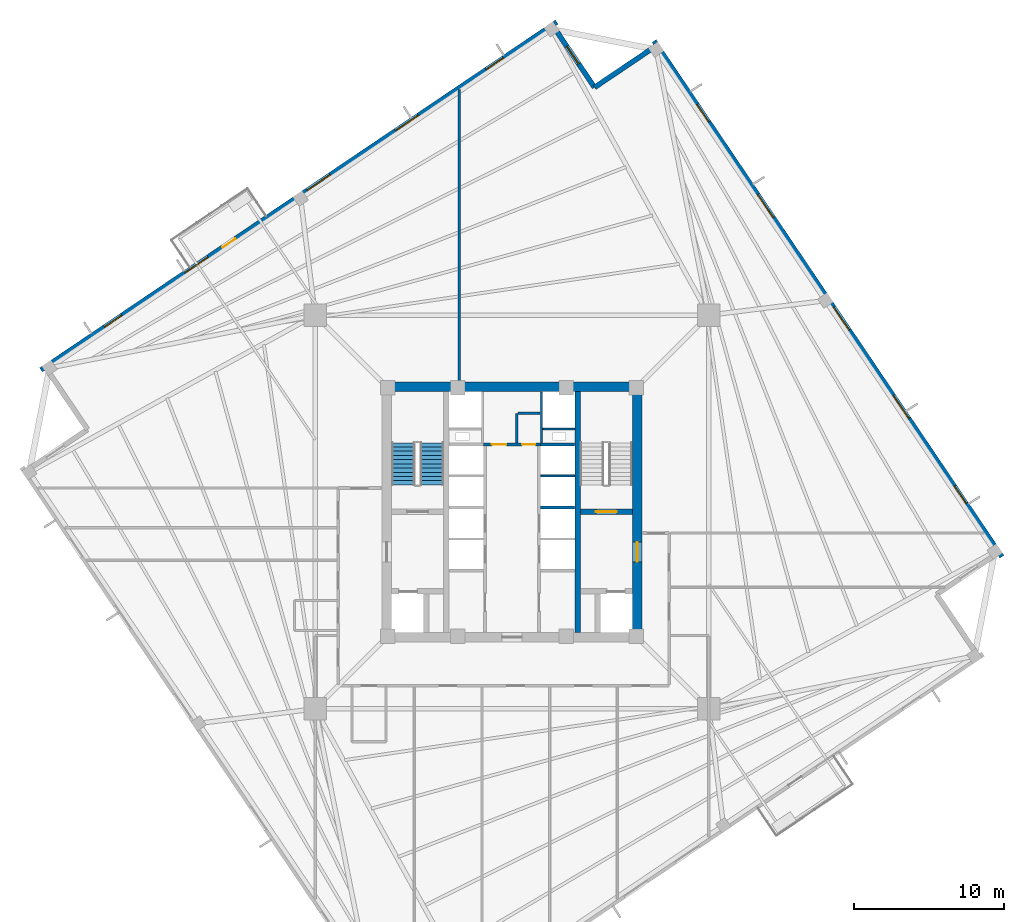
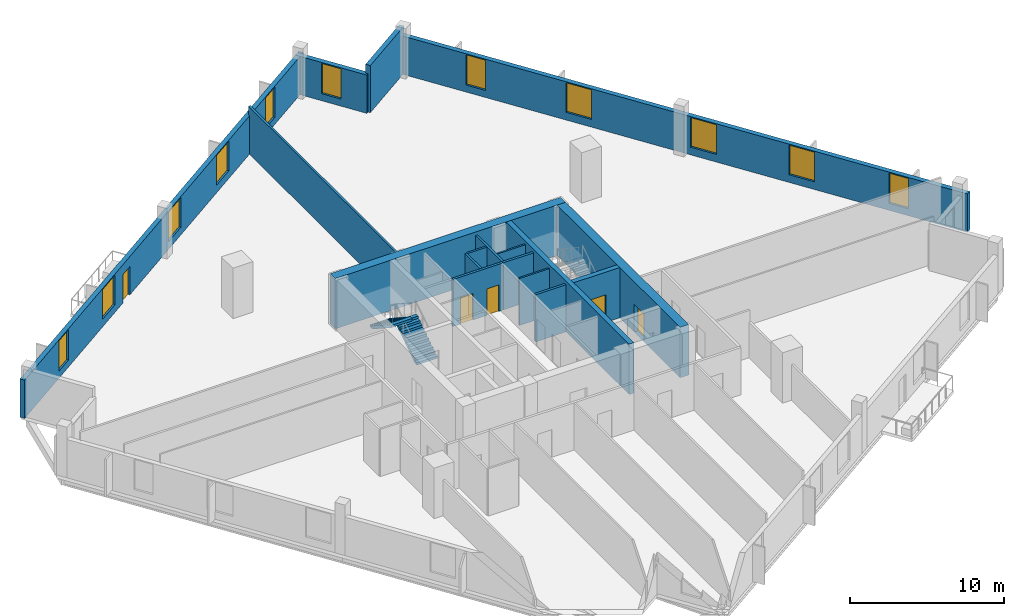
# One storey, part 5 of 9: 17 walls, 11 windows, 5 doors, 2 stair flights, 16 openings, 1 element without a shape of its own.
"""IFC4 building model written with IfcOpenShell, lengths in metres."""

from ifc_helpers import new_model, si_unit, direction, frame, frame_2d, origin, place, context, subcontext, project, spatial, polyline, rectangle, outline, extrude, source, transform, mapped, material, layer, layer_set, type_object, element, fill, aggregate, save


model = new_model("IFC4")

# Units and contexts
model_context = context("Model", 3, precision=1e-05, world=origin(), true_north=direction((0.0, 1.0)))
body_context = subcontext(model_context, "Body", "Model", "MODEL_VIEW")
ifc_project = project(units=[si_unit("LENGTHUNIT", "METRE"), si_unit("AREAUNIT", "SQUARE_METRE"), si_unit("VOLUMEUNIT", "CUBIC_METRE"), si_unit("PLANEANGLEUNIT", "RADIAN"), si_unit("MASSUNIT", "GRAM", prefix="KILO"), si_unit("THERMODYNAMICTEMPERATUREUNIT", "KELVIN")], contexts=[model_context])

# Site, building, storey
site_placement = place(None, origin())
site = spatial("IfcSite", under=ifc_project, at=site_placement, CompositionType="ELEMENT")
building_placement = place(site_placement, origin())
building = spatial("IfcBuilding", under=site, at=building_placement, Name="Kosmvard Interchange Tower", CompositionType="ELEMENT")
storey_placement = place(building_placement, frame((0.0, 0.0, 160.39990234375)))
storey = spatial("IfcBuildingStorey", under=building, at=storey_placement, Name="L38", CompositionType="ELEMENT", Elevation=160.39990234375)

# Walls
ifc_material_1 = material(Name="Acoustic gypsum partition system")
ifc_layer_1 = layer(ifc_material_1, 0.14990234375, Name="Acoustic gypsum partition system")
ifc_layer_set_1 = layer_set([ifc_layer_1], Name="Acoustic gypsum partition system")
wall_type_1 = type_object("IfcWallType", Name="Acoustic Suite & Meeting Partition 150", PredefinedType="PARTITIONING", material=ifc_layer_set_1)
wall_1_placement = place(storey_placement, frame((-3.5, 8.655029296875, 0.0), z_axis=(0.0, 0.0, 1.0), x_axis=(0.0, 1.0, 0.0)))
element("IfcWall", 1, at=wall_1_placement, inside=storey, type_object=wall_type_1, Name="L38 Room Partition 01.1", PredefinedType="PARTITIONING", context=body_context, shape_type="SweptSolid", body=[
    extrude(rectangle(XDim=19.4111328125, YDim=0.14990234375, at=frame_2d((9.70556640625, 0.0))), origin(), (0.0, 0.0, 1.0), 3.739990234375),
])
ifc_material_2 = material(Name="Fire-rated gypsum partition system")
ifc_layer_2 = layer(ifc_material_2, 0.159912109375, Name="Fire-rated gypsum partition system")
ifc_layer_set_2 = layer_set([ifc_layer_2], Name="Fire-rated gypsum partition system")
wall_type_2 = type_object("IfcWallType", Name="Core Compartment & Shuttle Lobby Partition 160", PredefinedType="PARTITIONING", material=ifc_layer_set_2)
wall_2_placement = place(storey_placement, frame((1.9599609375, 4.580078125, 0.0), z_axis=(0.0, 0.0, 1.0), x_axis=(0.0, 1.0, 0.0)))
element("IfcWall", 2, at=wall_2_placement, inside=storey, type_object=wall_type_2, Name="L38 North Core East Wall", PredefinedType="PARTITIONING", context=body_context, shape_type="SweptSolid", body=[
    extrude(rectangle(XDim=3.39990234375, YDim=0.159912109375, at=frame_2d((1.699951171875, 0.0))), origin(), (0.0, 0.0, 1.0), 3.739990234375),
])
ifc_material_3 = material(Name="Concrete blockwork masonry", Category="masonry")
ifc_layer_3 = layer(ifc_material_3, 0.159912109375, Name="Concrete blockwork masonry")
ifc_layer_set_3 = layer_set([ifc_layer_3], Name="Concrete blockwork masonry")
wall_type_3 = type_object("IfcWallType", Name="Core Enclosure Split Wall 160", PredefinedType="PARTITIONING", material=ifc_layer_set_3)
wall_3_placement = place(storey_placement, frame((0.320068359375, 4.60009765625, 0.0), z_axis=(0.0, 0.0, 1.0), x_axis=(0.0, 1.0, 0.0)))
element("IfcWall", 3, at=wall_3_placement, inside=storey, type_object=wall_type_3, Name="L38 Core K3 L-Wall 1", PredefinedType="PARTITIONING", context=body_context, shape_type="SweptSolid", body=[
    extrude(rectangle(XDim=1.949951171875, YDim=0.159912109375, at=frame_2d((0.97509765625, 0.0))), origin(), (0.0, 0.0, 1.0), 3.739990234375),
])
wall_4_placement = place(storey_placement, frame((0.39990234375, 6.550048828125, 0.0), z_axis=(0.0, 0.0, 1.0), x_axis=(1.0, 0.0, 0.0)))
element("IfcWall", 4, at=wall_4_placement, inside=storey, type_object=wall_type_3, Name="L38 Core K3 L-Wall 2", PredefinedType="PARTITIONING", context=body_context, shape_type="SweptSolid", body=[
    extrude(rectangle(XDim=1.460205078125, YDim=0.159912109375, at=frame_2d((0.72998046875, 0.0))), origin(), (0.0, 0.0, 1.0), 3.739990234375),
])

# Wall, openings, doors
ifc_layer_4 = layer(ifc_material_2, 0.179931640625, Name="Fire-rated gypsum partition system")
ifc_layer_set_4 = layer_set([ifc_layer_4], Name="Fire-rated gypsum partition system")
wall_type_4 = type_object("IfcWallType", Name="Corridor & Hotel Compartment Partition 180", PredefinedType="PARTITIONING", material=ifc_layer_set_4)
wall_5_placement = place(storey_placement, frame((-1.8798828125, 4.489990234375, 0.0), z_axis=(0.0, 0.0, 1.0), x_axis=(1.0, 0.0, 0.0)))
wall_5 = element("IfcWall", 5, at=wall_5_placement, inside=storey, type_object=wall_type_4, Name="L38 Lift Lobby North Partition", PredefinedType="PARTITIONING", context=body_context, shape_type="SweptSolid", body=[
    extrude(rectangle(XDim=3.759765625, YDim=0.179931640625, at=frame_2d((1.8798828125, 0.0))), origin(), (0.0, 0.0, 1.0), 3.739990234375),
])
opening_1_placement = place(wall_5_placement, frame((0.550048828125, 0.0, 0.0)))
opening_1 = element("IfcOpeningElement", 6, at=opening_1_placement, cuts=wall_5, Name="Opening L38-KD1", PredefinedType="OPENING", context=body_context, shape_type="SweptSolid", body=[
    extrude(rectangle(XDim=0.949951171875, YDim=2.10009765625, at=frame_2d((0.47509765625, 1.050048828125))), frame((0.0, 0.10009765625, 0.0), z_axis=(0.0, -1.0, 0.0), x_axis=(1.0, 0.0, 0.0)), (0.0, 0.0, 1.0), 0.199951171875),
])
opening_2_placement = place(wall_5_placement, frame((2.56005859375, 0.0, 0.0)))
opening_2 = element("IfcOpeningElement", 7, at=opening_2_placement, cuts=wall_5, Name="Opening L38-KD2", PredefinedType="OPENING", context=body_context, shape_type="SweptSolid", body=[
    extrude(rectangle(XDim=0.8798828125, YDim=2.10009765625, at=frame_2d((0.43994140625, 1.050048828125))), frame((0.0, 0.10009765625, 0.0), z_axis=(0.0, -1.0, 0.0), x_axis=(1.0, 0.0, 0.0)), (0.0, 0.0, 1.0), 0.199951171875),
])
ifc_material_4 = material(Name="Painted fire-rated timber leaf", Category="wood")
door_type_1 = type_object("IfcDoorType", Name="Core Service Fire Door 950x2100 EI30", OperationType="NOTDEFINED", PredefinedType="DOOR", material=ifc_material_4)
shared_shape_1 = source(origin(), body_context, "Body", "SweptSolid", [
    extrude(rectangle(XDim=0.949951171875, YDim=2.10009765625, at=frame_2d((0.47509765625, 1.050048828125))), frame((0.0, 0.02490234375, 0.0), z_axis=(0.0, -1.0, 0.0), x_axis=(1.0, 0.0, 0.0)), (0.0, 0.0, 1.0), 0.050048828125),
])
door_1_placement = place(opening_1_placement, origin())
door_1 = element("IfcDoor", 8, at=door_1_placement, inside=storey, type_object=door_type_1, Name="L38 Core Archive Store Door", OperationType="SINGLE_SWING_LEFT", OverallHeight=2.10009765625, OverallWidth=0.949951171875, PredefinedType="DOOR", context=body_context, shape_type="MappedRepresentation", body=[
    mapped(shared_shape_1, transform((0.0, 0.0, 0.0), scale=1.0)),
])
fill(opening_1, door_1)
door_type_2 = type_object("IfcDoorType", Name="Core Cupboard Fire Door 880x2100 EI30", OperationType="NOTDEFINED", PredefinedType="DOOR", material=ifc_material_4)
shared_shape_2 = source(origin(), body_context, "Body", "SweptSolid", [
    extrude(rectangle(XDim=0.8798828125, YDim=2.10009765625, at=frame_2d((0.43994140625, 1.050048828125))), frame((0.0, 0.02490234375, 0.0), z_axis=(0.0, -1.0, 0.0), x_axis=(1.0, 0.0, 0.0)), (0.0, 0.0, 1.0), 0.050048828125),
])
door_2_placement = place(opening_2_placement, origin())
door_2 = element("IfcDoor", 9, at=door_2_placement, inside=storey, type_object=door_type_2, Name="L38 Core Supplies Cupboard Door", OperationType="SINGLE_SWING_RIGHT", OverallHeight=2.10009765625, OverallWidth=0.8798828125, PredefinedType="DOOR", context=body_context, shape_type="MappedRepresentation", body=[
    mapped(shared_shape_2, transform((0.0, 0.0, 0.0), scale=1.0)),
])
fill(opening_2, door_2)

# Wall
ifc_material_5 = material(Name="Concrete C70/85", Category="concrete")
ifc_layer_5 = layer(ifc_material_5, 0.64990234375, Name="Concrete C70/85")
ifc_layer_set_5 = layer_set([ifc_layer_5], Name="Concrete C70/85")
wall_type_5 = type_object("IfcWallType", Name="Mid Core Shear Wall 650 C70/85", PredefinedType="SHEAR", material=ifc_layer_set_5)
wall_6_placement = place(storey_placement, frame((-8.64990234375, 8.324951171875, 0.0), z_axis=(0.0, 0.0, 1.0), x_axis=(1.0, 0.0, 0.0)))
element("IfcWall", 10, at=wall_6_placement, inside=storey, type_object=wall_type_5, Name="L38 Core Shear Wall CW-N", PredefinedType="SHEAR", context=body_context, shape_type="SweptSolid", body=[
    extrude(rectangle(XDim=17.2998046875, YDim=0.64990234375, at=frame_2d((8.64990234375, 0.0))), origin(), (0.0, 0.0, 1.0), 4.0),
])

# Wall, opening, door
wall_7_placement = place(storey_placement, frame((8.324951171875, -8.0, 0.0), z_axis=(0.0, 0.0, 1.0), x_axis=(0.0, 1.0, 0.0)))
wall_7 = element("IfcWall", 11, at=wall_7_placement, inside=storey, type_object=wall_type_5, Name="L38 Core Shear Wall CW-E", PredefinedType="SHEAR", context=body_context, shape_type="SweptSolid", body=[
    extrude(rectangle(XDim=16.0, YDim=0.64990234375, at=frame_2d((8.0, 0.0))), origin(), (0.0, 0.0, 1.0), 4.0),
])
opening_3_placement = place(wall_7_placement, frame((4.68994140625, 0.0, 0.0)))
opening_3 = element("IfcOpeningElement", 12, at=opening_3_placement, cuts=wall_7, Name="Opening L38-FD2", PredefinedType="OPENING", context=body_context, shape_type="SweptSolid", body=[
    extrude(rectangle(XDim=1.300048828125, YDim=2.199951171875, at=frame_2d((0.64990234375, 1.10009765625))), frame((0.0, 0.3349609375, 0.0), z_axis=(0.0, -1.0, 0.0), x_axis=(1.0, 0.0, 0.0)), (0.0, 0.0, 1.0), 0.669921875),
])
ifc_material_6 = material(Name="Painted fire-rated steel leaf", Category="steel")
door_type_3 = type_object("IfcDoorType", Name="Firefighting Lobby Door 1300x2200 EI60", OperationType="NOTDEFINED", PredefinedType="DOOR", material=ifc_material_6)
shared_shape_3 = source(origin(), body_context, "Body", "SweptSolid", [
    extrude(rectangle(XDim=1.300048828125, YDim=2.199951171875, at=frame_2d((0.64990234375, 1.10009765625))), frame((0.0, 0.02490234375, 0.0), z_axis=(0.0, -1.0, 0.0), x_axis=(1.0, 0.0, 0.0)), (0.0, 0.0, 1.0), 0.050048828125),
])
door_3_placement = place(opening_3_placement, origin())
door_3 = element("IfcDoor", 13, at=door_3_placement, inside=storey, type_object=door_type_3, Name="L38 Firefighting Lobby East Door", OperationType="SINGLE_SWING_RIGHT", OverallHeight=2.199951171875, OverallWidth=1.300048828125, PredefinedType="DOOR", context=body_context, shape_type="MappedRepresentation", body=[
    mapped(shared_shape_3, transform((0.0, 0.0, 0.0), scale=1.0)),
])
fill(opening_3, door_3)

# Wall, openings, windows
ifc_material_7 = material(Name="Precast concrete C45/55", Category="concrete")
ifc_layer_6 = layer(ifc_material_7, 0.340087890625, Name="Precast concrete C45/55")
ifc_layer_set_6 = layer_set([ifc_layer_6], Name="Precast concrete C45/55")
wall_type_6 = type_object("IfcWallType", Name="Mid Tower Precast Pier Wall 340 C45/55", PredefinedType="STANDARD", material=ifc_layer_set_6)
wall_8_placement = place(storey_placement, frame((32.55810546875, -2.971923828125, 0.0), z_axis=(0.0, 0.0, 1.0), x_axis=(-0.559194910251, 0.829036218961, 0.0)))
wall_8 = element("IfcWall", 14, at=wall_8_placement, inside=storey, type_object=wall_type_6, Name="L38 Precast Facade Wall F-E", PredefinedType="STANDARD", context=body_context, shape_type="SweptSolid", body=[
    extrude(rectangle(XDim=41.340087890625, YDim=0.340087890625, at=frame_2d((20.669921875, 0.0))), origin(), (0.0, 0.0, 1.0), 3.0400390625),
])
opening_4_placement = place(wall_8_placement, frame((4.2607421875, 0.0, 0.56005859375)))
opening_4 = element("IfcOpeningElement", 15, at=opening_4_placement, cuts=wall_8, Name="Opening L38-W06", PredefinedType="OPENING", context=body_context, shape_type="SweptSolid", body=[
    extrude(rectangle(XDim=1.39990234375, YDim=2.39990234375, at=frame_2d((0.699951171875, 1.199951171875))), frame((0.0, 0.18017578125, 0.0), z_axis=(0.0, -1.0, 0.0), x_axis=(1.0, 0.0, 0.0)), (0.0, 0.0, 1.0), 0.360107421875),
])
opening_5_placement = place(wall_8_placement, frame((11.063720703125, 0.0, 0.610107421875)))
opening_5 = element("IfcOpeningElement", 16, at=opening_5_placement, cuts=wall_8, Name="Opening L38-W07", PredefinedType="OPENING", context=body_context, shape_type="SweptSolid", body=[
    extrude(rectangle(XDim=1.85009765625, YDim=2.35009765625, at=frame_2d((0.925048828125, 1.175048828125))), frame((0.0, 0.18017578125, 0.0), z_axis=(0.0, -1.0, 0.0), x_axis=(1.0, 0.0, 0.0)), (0.0, 0.0, 1.0), 0.360107421875),
])
opening_6_placement = place(wall_8_placement, frame((18.168212890625, 0.0, 0.610107421875)))
opening_6 = element("IfcOpeningElement", 17, at=opening_6_placement, cuts=wall_8, Name="Opening L38-W08", PredefinedType="OPENING", context=body_context, shape_type="SweptSolid", body=[
    extrude(rectangle(XDim=1.85009765625, YDim=2.35009765625, at=frame_2d((0.925048828125, 1.175048828125))), frame((0.0, 0.18017578125, 0.0), z_axis=(0.0, -1.0, 0.0), x_axis=(1.0, 0.0, 0.0)), (0.0, 0.0, 1.0), 0.360107421875),
])
opening_7_placement = place(wall_8_placement, frame((27.186279296875, 0.0, 0.610107421875)))
opening_7 = element("IfcOpeningElement", 18, at=opening_7_placement, cuts=wall_8, Name="Opening L38-W09", PredefinedType="OPENING", context=body_context, shape_type="SweptSolid", body=[
    extrude(rectangle(XDim=1.85009765625, YDim=2.35009765625, at=frame_2d((0.925048828125, 1.175048828125))), frame((0.0, 0.18017578125, 0.0), z_axis=(0.0, -1.0, 0.0), x_axis=(1.0, 0.0, 0.0)), (0.0, 0.0, 1.0), 0.360107421875),
])
opening_8_placement = place(wall_8_placement, frame((34.852294921875, 0.0, 0.56005859375)))
opening_8 = element("IfcOpeningElement", 19, at=opening_8_placement, cuts=wall_8, Name="Opening L38-W10", PredefinedType="OPENING", context=body_context, shape_type="SweptSolid", body=[
    extrude(rectangle(XDim=1.39990234375, YDim=2.39990234375, at=frame_2d((0.699951171875, 1.199951171875))), frame((0.0, 0.18017578125, 0.0), z_axis=(0.0, -1.0, 0.0), x_axis=(1.0, 0.0, 0.0)), (0.0, 0.0, 1.0), 0.360107421875),
])
ifc_material_8 = material(Name="Low-E solar-control double glazing", Category="glass")
window_type_1 = type_object("IfcWindowType", Name="Notched Corner Feature Window 1400x2400", PartitioningType="SINGLE_PANEL", PredefinedType="WINDOW", material=ifc_material_8)
shared_shape_4 = source(origin(), body_context, "Body", "SweptSolid", [
    extrude(rectangle(XDim=1.39990234375, YDim=2.39990234375, at=frame_2d((0.699951171875, 1.199951171875))), frame((0.0, 0.030029296875, 0.0), z_axis=(0.0, -1.0, 0.0), x_axis=(1.0, 0.0, 0.0)), (0.0, 0.0, 1.0), 0.06005859375),
])
window_1_placement = place(opening_4_placement, origin())
window_1 = element("IfcWindow", 20, at=window_1_placement, inside=storey, type_object=window_type_1, Name="L38 Facade Punched Window 06", OverallHeight=2.39990234375, OverallWidth=1.39990234375, PartitioningType="SINGLE_PANEL", PredefinedType="WINDOW", context=body_context, shape_type="MappedRepresentation", body=[
    mapped(shared_shape_4, transform((0.0, 0.0, 0.0), scale=1.0)),
])
fill(opening_4, window_1)
window_2_placement = place(opening_8_placement, origin())
window_2 = element("IfcWindow", 21, at=window_2_placement, inside=storey, type_object=window_type_1, Name="L38 Facade Punched Window 10", OverallHeight=2.39990234375, OverallWidth=1.39990234375, PartitioningType="SINGLE_PANEL", PredefinedType="WINDOW", context=body_context, shape_type="MappedRepresentation", body=[
    mapped(shared_shape_4, transform((0.0, 0.0, 0.0), scale=1.0)),
])
fill(opening_8, window_2)
window_type_2 = type_object("IfcWindowType", Name="Zone 3 Office Punched Window 1850x2350", PartitioningType="SINGLE_PANEL", PredefinedType="WINDOW", material=ifc_material_8)
shared_shape_5 = source(origin(), body_context, "Body", "SweptSolid", [
    extrude(rectangle(XDim=1.85009765625, YDim=2.35009765625, at=frame_2d((0.925048828125, 1.175048828125))), frame((0.0, 0.030029296875, 0.0), z_axis=(0.0, -1.0, 0.0), x_axis=(1.0, 0.0, 0.0)), (0.0, 0.0, 1.0), 0.06005859375),
])
window_3_placement = place(opening_5_placement, origin())
window_3 = element("IfcWindow", 22, at=window_3_placement, inside=storey, type_object=window_type_2, Name="L38 Facade Punched Window 07", OverallHeight=2.35009765625, OverallWidth=1.85009765625, PartitioningType="SINGLE_PANEL", PredefinedType="WINDOW", context=body_context, shape_type="MappedRepresentation", body=[
    mapped(shared_shape_5, transform((0.0, 0.0, 0.0), scale=1.0)),
])
fill(opening_5, window_3)
window_4_placement = place(opening_6_placement, origin())
window_4 = element("IfcWindow", 23, at=window_4_placement, inside=storey, type_object=window_type_2, Name="L38 Facade Punched Window 08", OverallHeight=2.35009765625, OverallWidth=1.85009765625, PartitioningType="SINGLE_PANEL", PredefinedType="WINDOW", context=body_context, shape_type="MappedRepresentation", body=[
    mapped(shared_shape_5, transform((0.0, 0.0, 0.0), scale=1.0)),
])
fill(opening_6, window_4)
window_5_placement = place(opening_7_placement, origin())
window_5 = element("IfcWindow", 24, at=window_5_placement, inside=storey, type_object=window_type_2, Name="L38 Facade Punched Window 09", OverallHeight=2.35009765625, OverallWidth=1.85009765625, PartitioningType="SINGLE_PANEL", PredefinedType="WINDOW", context=body_context, shape_type="MappedRepresentation", body=[
    mapped(shared_shape_5, transform((0.0, 0.0, 0.0), scale=1.0)),
])
fill(opening_7, window_5)

# Wall
wall_9_placement = place(storey_placement, frame((9.631103515625, 31.018798828125, 0.0), z_axis=(0.0, 0.0, 1.0), x_axis=(-0.829025804298, -0.559210350234, 0.0)))
element("IfcWall", 25, at=wall_9_placement, inside=storey, type_object=wall_type_6, Name="L38 Precast Facade Wall N-NE1", PredefinedType="STANDARD", context=body_context, shape_type="SweptSolid", body=[
    extrude(rectangle(XDim=5.000244140625, YDim=0.340087890625, at=frame_2d((2.5, 0.0))), origin(), (0.0, 0.0, 1.0), 3.739990234375),
])

# Wall, opening, window
wall_10_placement = place(storey_placement, frame((5.48583984375, 28.22265625, 0.0), z_axis=(0.0, 0.0, 1.0), x_axis=(-0.559171107879, 0.82905227345, 0.0)))
wall_10 = element("IfcWall", 26, at=wall_10_placement, inside=storey, type_object=wall_type_6, Name="L38 Precast Facade Wall N-NE2", PredefinedType="STANDARD", context=body_context, shape_type="SweptSolid", body=[
    extrude(rectangle(XDim=5.169921875, YDim=0.340087890625, at=frame_2d((2.5849609375, 0.0))), origin(), (0.0, 0.0, 1.0), 3.0400390625),
])
opening_9_placement = place(wall_10_placement, frame((1.885009765625, 0.0, 0.56005859375)))
opening_9 = element("IfcOpeningElement", 27, at=opening_9_placement, cuts=wall_10, Name="Opening L38-W22", PredefinedType="OPENING", context=body_context, shape_type="SweptSolid", body=[
    extrude(rectangle(XDim=1.39990234375, YDim=2.39990234375, at=frame_2d((0.699951171875, 1.199951171875))), frame((0.0, 0.18017578125, 0.0), z_axis=(0.0, -1.0, 0.0), x_axis=(1.0, 0.0, 0.0)), (0.0, 0.0, 1.0), 0.360107421875),
])
window_6_placement = place(opening_9_placement, origin())
window_6 = element("IfcWindow", 28, at=window_6_placement, inside=storey, type_object=window_type_1, Name="L38 Corner Notch Window 22", OverallHeight=2.39990234375, OverallWidth=1.39990234375, PartitioningType="SINGLE_PANEL", PredefinedType="WINDOW", context=body_context, shape_type="MappedRepresentation", body=[
    mapped(shared_shape_4, transform((0.0, 0.0, 0.0), scale=1.0)),
])
fill(opening_9, window_6)

# Wall, openings, door, windows
wall_11_placement = place(storey_placement, frame((2.971923828125, 32.55810546875, 0.0), z_axis=(0.0, 0.0, 1.0), x_axis=(-0.829036218961, -0.559194910251, 0.0)))
wall_11 = element("IfcWall", 29, at=wall_11_placement, inside=storey, type_object=wall_type_6, Name="L38 Precast Facade Wall F-N", PredefinedType="STANDARD", context=body_context, shape_type="SweptSolid", body=[
    extrude(rectangle(XDim=41.340087890625, YDim=0.340087890625, at=frame_2d((20.669921875, 0.0))), origin(), (0.0, 0.0, 1.0), 3.0400390625),
])
opening_10_placement = place(wall_11_placement, frame((25.7451171875, 0.0, 0.0)))
opening_10 = element("IfcOpeningElement", 30, at=opening_10_placement, cuts=wall_11, Name="Opening L38-BDE", PredefinedType="OPENING", context=body_context, shape_type="SweptSolid", body=[
    extrude(rectangle(XDim=1.050048828125, YDim=2.25, at=frame_2d((0.52490234375, 1.125))), frame((0.0, 0.18017578125, 0.0), z_axis=(0.0, -1.0, 0.0), x_axis=(1.0, 0.0, 0.0)), (0.0, 0.0, 1.0), 0.360107421875),
])
opening_11_placement = place(wall_11_placement, frame((4.2607421875, 0.0, 0.56005859375)))
opening_11 = element("IfcOpeningElement", 31, at=opening_11_placement, cuts=wall_11, Name="Opening L38-W11", PredefinedType="OPENING", context=body_context, shape_type="SweptSolid", body=[
    extrude(rectangle(XDim=1.39990234375, YDim=2.39990234375, at=frame_2d((0.699951171875, 1.199951171875))), frame((0.0, 0.18017578125, 0.0), z_axis=(0.0, -1.0, 0.0), x_axis=(1.0, 0.0, 0.0)), (0.0, 0.0, 1.0), 0.360107421875),
])
opening_12_placement = place(wall_11_placement, frame((11.063720703125, 0.0, 0.610107421875)))
opening_12 = element("IfcOpeningElement", 32, at=opening_12_placement, cuts=wall_11, Name="Opening L38-W12", PredefinedType="OPENING", context=body_context, shape_type="SweptSolid", body=[
    extrude(rectangle(XDim=1.85009765625, YDim=2.35009765625, at=frame_2d((0.925048828125, 1.175048828125))), frame((0.0, 0.18017578125, 0.0), z_axis=(0.0, -1.0, 0.0), x_axis=(1.0, 0.0, 0.0)), (0.0, 0.0, 1.0), 0.360107421875),
])
opening_13_placement = place(wall_11_placement, frame((18.168212890625, 0.0, 0.610107421875)))
opening_13 = element("IfcOpeningElement", 33, at=opening_13_placement, cuts=wall_11, Name="Opening L38-W13", PredefinedType="OPENING", context=body_context, shape_type="SweptSolid", body=[
    extrude(rectangle(XDim=1.85009765625, YDim=2.35009765625, at=frame_2d((0.925048828125, 1.175048828125))), frame((0.0, 0.18017578125, 0.0), z_axis=(0.0, -1.0, 0.0), x_axis=(1.0, 0.0, 0.0)), (0.0, 0.0, 1.0), 0.360107421875),
])
opening_14_placement = place(wall_11_placement, frame((27.936279296875, 0.0, 0.610107421875)))
opening_14 = element("IfcOpeningElement", 34, at=opening_14_placement, cuts=wall_11, Name="Opening L38-W14", PredefinedType="OPENING", context=body_context, shape_type="SweptSolid", body=[
    extrude(rectangle(XDim=1.85009765625, YDim=2.35009765625, at=frame_2d((0.925048828125, 1.175048828125))), frame((0.0, 0.18017578125, 0.0), z_axis=(0.0, -1.0, 0.0), x_axis=(1.0, 0.0, 0.0)), (0.0, 0.0, 1.0), 0.360107421875),
])
opening_15_placement = place(wall_11_placement, frame((34.852294921875, 0.0, 0.56005859375)))
opening_15 = element("IfcOpeningElement", 35, at=opening_15_placement, cuts=wall_11, Name="Opening L38-W15", PredefinedType="OPENING", context=body_context, shape_type="SweptSolid", body=[
    extrude(rectangle(XDim=1.39990234375, YDim=2.39990234375, at=frame_2d((0.699951171875, 1.199951171875))), frame((0.0, 0.18017578125, 0.0), z_axis=(0.0, -1.0, 0.0), x_axis=(1.0, 0.0, 0.0)), (0.0, 0.0, 1.0), 0.360107421875),
])
ifc_material_9 = material(Name="Anodised aluminium and safety glass", Category="aluminium")
door_type_4 = type_object("IfcDoorType", Name="Tree-Balcony Glazed Door 1050x2250", OperationType="NOTDEFINED", PredefinedType="DOOR", material=ifc_material_9)
shared_shape_6 = source(origin(), body_context, "Body", "SweptSolid", [
    extrude(rectangle(XDim=1.050048828125, YDim=2.25, at=frame_2d((0.52490234375, 1.125))), frame((0.0, 0.02490234375, 0.0), z_axis=(0.0, -1.0, 0.0), x_axis=(1.0, 0.0, 0.0)), (0.0, 0.0, 1.0), 0.050048828125),
])
door_4_placement = place(opening_10_placement, origin())
door_4 = element("IfcDoor", 36, at=door_4_placement, inside=storey, type_object=door_type_4, Name="L38 Tree-Balcony Door BAL-L38-NE", OperationType="SINGLE_SWING_LEFT", OverallHeight=2.25, OverallWidth=1.050048828125, PredefinedType="DOOR", context=body_context, shape_type="MappedRepresentation", body=[
    mapped(shared_shape_6, transform((0.0, 0.0, 0.0), scale=1.0)),
])
fill(opening_10, door_4)
window_7_placement = place(opening_11_placement, origin())
window_7 = element("IfcWindow", 37, at=window_7_placement, inside=storey, type_object=window_type_1, Name="L38 Facade Punched Window 11", OverallHeight=2.39990234375, OverallWidth=1.39990234375, PartitioningType="SINGLE_PANEL", PredefinedType="WINDOW", context=body_context, shape_type="MappedRepresentation", body=[
    mapped(shared_shape_4, transform((0.0, 0.0, 0.0), scale=1.0)),
])
fill(opening_11, window_7)
window_8_placement = place(opening_15_placement, origin())
window_8 = element("IfcWindow", 38, at=window_8_placement, inside=storey, type_object=window_type_1, Name="L38 Facade Punched Window 15", OverallHeight=2.39990234375, OverallWidth=1.39990234375, PartitioningType="SINGLE_PANEL", PredefinedType="WINDOW", context=body_context, shape_type="MappedRepresentation", body=[
    mapped(shared_shape_4, transform((0.0, 0.0, 0.0), scale=1.0)),
])
fill(opening_15, window_8)
window_9_placement = place(opening_12_placement, origin())
window_9 = element("IfcWindow", 39, at=window_9_placement, inside=storey, type_object=window_type_2, Name="L38 Facade Punched Window 12", OverallHeight=2.35009765625, OverallWidth=1.85009765625, PartitioningType="SINGLE_PANEL", PredefinedType="WINDOW", context=body_context, shape_type="MappedRepresentation", body=[
    mapped(shared_shape_5, transform((0.0, 0.0, 0.0), scale=1.0)),
])
fill(opening_12, window_9)
window_10_placement = place(opening_13_placement, origin())
window_10 = element("IfcWindow", 40, at=window_10_placement, inside=storey, type_object=window_type_2, Name="L38 Facade Punched Window 13", OverallHeight=2.35009765625, OverallWidth=1.85009765625, PartitioningType="SINGLE_PANEL", PredefinedType="WINDOW", context=body_context, shape_type="MappedRepresentation", body=[
    mapped(shared_shape_5, transform((0.0, 0.0, 0.0), scale=1.0)),
])
fill(opening_13, window_10)
window_11_placement = place(opening_14_placement, origin())
window_11 = element("IfcWindow", 41, at=window_11_placement, inside=storey, type_object=window_type_2, Name="L38 Facade Punched Window 14", OverallHeight=2.35009765625, OverallWidth=1.85009765625, PartitioningType="SINGLE_PANEL", PredefinedType="WINDOW", context=body_context, shape_type="MappedRepresentation", body=[
    mapped(shared_shape_5, transform((0.0, 0.0, 0.0), scale=1.0)),
])
fill(opening_14, window_11)

# Walls
ifc_layer_7 = layer(ifc_material_3, 0.179931640625, Name="Concrete blockwork masonry")
ifc_layer_set_7 = layer_set([ifc_layer_7], Name="Concrete blockwork masonry")
wall_type_7 = type_object("IfcWallType", Name="Riser & Lift Bank Divider Wall 180", PredefinedType="PARTITIONING", material=ifc_layer_set_7)
for number, where, z_axis, x_axis, name in (
    (42, (1.889892578125, 0.300048828125, 0.0), (0.0, 0.0, 1.0), (1.0, 0.0, 0.0), "L38 East Bank Divider BD2"),
    (43, (1.889892578125, 4.489990234375, 0.0), (0.0, 0.0, 1.0), (1.0, 0.0, 0.0), "L38 East Bank Divider BD3"),
):
    element("IfcWall", number, at=place(storey_placement, frame(where, z_axis=z_axis, x_axis=x_axis)), inside=storey, type_object=wall_type_7, Name=name, PredefinedType="PARTITIONING", context=body_context, shape_type="SweptSolid", body=[
        extrude(rectangle(XDim=2.280029296875, YDim=0.179931640625, at=frame_2d((1.14013671875, 0.0))), origin(), (0.0, 0.0, 1.0), 3.739990234375),
    ])
ifc_material_10 = material(Name="Fire-rated gypsum shaftwall system")
ifc_layer_8 = layer(ifc_material_10, 0.1201171875, Name="Fire-rated gypsum shaftwall system")
ifc_layer_set_8 = layer_set([ifc_layer_8], Name="Fire-rated gypsum shaftwall system")
wall_type_8 = type_object("IfcWallType", Name="Shaft & Riser Fire Partition 120 EI60", PredefinedType="PARTITIONING", material=ifc_layer_set_8)
wall_12_placement = place(storey_placement, frame((1.89990234375, 2.39990234375, 0.0), z_axis=(0.0, 0.0, 1.0), x_axis=(1.0, 0.0, 0.0)))
element("IfcWall", 44, at=wall_12_placement, inside=storey, type_object=wall_type_8, Name="L38 Shaft Divider PL-H3", PredefinedType="PARTITIONING", context=body_context, shape_type="SweptSolid", body=[
    extrude(rectangle(XDim=2.260009765625, YDim=0.1201171875, at=frame_2d((1.1298828125, 0.0))), origin(), (0.0, 0.0, 1.0), 3.739990234375),
])
wall_13_placement = place(storey_placement, frame((2.06005859375, 5.52001953125, 0.0), z_axis=(0.0, 0.0, 1.0), x_axis=(1.0, 0.0, 0.0)))
element("IfcWall", 45, at=wall_13_placement, inside=storey, type_object=wall_type_8, Name="L38 Riser Shaft Divider E", PredefinedType="PARTITIONING", context=body_context, shape_type="SweptSolid", body=[
    extrude(rectangle(XDim=2.099853515625, YDim=0.1201171875, at=frame_2d((1.0498046875, 0.0))), origin(), (0.0, 0.0, 1.0), 3.739990234375),
])
ifc_material_11 = material(Name="Concrete C60/75", Category="concrete")
ifc_layer_9 = layer(ifc_material_11, 0.360107421875, Name="Concrete C60/75")
ifc_layer_set_9 = layer_set([ifc_layer_9], Name="Concrete C60/75")
wall_type_9 = type_object("IfcWallType", Name="Stair & Lift Shaft Shear Wall 360 C60/75", PredefinedType="SHEAR", material=ifc_layer_set_9)
wall_14_placement = place(storey_placement, frame((4.360107421875, -8.0, 0.0), z_axis=(0.0, 0.0, 1.0), x_axis=(0.0, 1.0, 0.0)))
element("IfcWall", 46, at=wall_14_placement, inside=storey, type_object=wall_type_9, Name="L38 Shaft Shear Wall SW-E", PredefinedType="SHEAR", context=body_context, shape_type="SweptSolid", body=[
    extrude(rectangle(XDim=16.0, YDim=0.360107421875, at=frame_2d((8.0, 0.0))), origin(), (0.0, 0.0, 1.0), 4.0),
])

# Wall, opening, door
wall_15_placement = place(storey_placement, frame((4.5400390625, 0.02001953125, 0.0), z_axis=(0.0, 0.0, 1.0), x_axis=(1.0, 0.0, 0.0)))
wall_15 = element("IfcWall", 47, at=wall_15_placement, inside=storey, type_object=wall_type_9, Name="L38 Shaft Shear Wall SW-ST2", PredefinedType="SHEAR", context=body_context, shape_type="SweptSolid", body=[
    extrude(rectangle(XDim=3.4599609375, YDim=0.360107421875, at=frame_2d((1.72998046875, 0.0))), origin(), (0.0, 0.0, 1.0), 4.0),
])
opening_16_placement = place(wall_15_placement, frame((1.030029296875, 0.0, 0.0)))
opening_16 = element("IfcOpeningElement", 48, at=opening_16_placement, cuts=wall_15, Name="Opening L38-SD2", PredefinedType="OPENING", context=body_context, shape_type="SweptSolid", body=[
    extrude(rectangle(XDim=1.39990234375, YDim=2.199951171875, at=frame_2d((0.699951171875, 1.10009765625))), frame((0.0, 0.18994140625, 0.0), z_axis=(0.0, -1.0, 0.0), x_axis=(1.0, 0.0, 0.0)), (0.0, 0.0, 1.0), 0.380126953125),
])
door_type_5 = type_object("IfcDoorType", Name="Protected Stair Door 1400x2200 FD60S", OperationType="NOTDEFINED", PredefinedType="DOOR", material=ifc_material_6)
shared_shape_7 = source(origin(), body_context, "Body", "SweptSolid", [
    extrude(rectangle(XDim=1.39990234375, YDim=2.199951171875, at=frame_2d((0.699951171875, 1.10009765625))), frame((0.0, 0.02490234375, 0.0), z_axis=(0.0, -1.0, 0.0), x_axis=(1.0, 0.0, 0.0)), (0.0, 0.0, 1.0), 0.050048828125),
])
door_5_placement = place(opening_16_placement, origin())
door_5 = element("IfcDoor", 49, at=door_5_placement, inside=storey, type_object=door_type_5, Name="L38 Stair ST-2 Enclosure Door", OperationType="SINGLE_SWING_RIGHT", OverallHeight=2.199951171875, OverallWidth=1.39990234375, PredefinedType="DOOR", context=body_context, shape_type="MappedRepresentation", body=[
    mapped(shared_shape_7, transform((0.0, 0.0, 0.0), scale=1.0)),
])
fill(opening_16, door_5)

# Stair, stair flights
ifc_material_12 = material(Name="Concrete C50/60", Category="concrete")
stair_type = type_object("IfcStairType", Name="Dog-Leg Core Exit Stair H4000 C50/60", PredefinedType="HALF_TURN_STAIR", material=ifc_material_12)
stair_placement = place(storey_placement, origin())
stair = element("IfcStair", 50, at=stair_placement, inside=storey, type_object=stair_type, Name="L38 Protected Exit Stair ST-1", PredefinedType="HALF_TURN_STAIR")
stair_flight_type = type_object("IfcStairFlightType", Name="Core Stair Flight W1550 H4000 C50/60", PredefinedType="STRAIGHT", material=ifc_material_12)
shared_shape_8 = source(origin(), body_context, "Body", "SweptSolid", [
    extrude(outline(polyline([(0.0, 0.0), (0.0, 0.181884765625), (0.280029296875, 0.181884765625), (0.280029296875, 0.363525390625), (0.56005859375, 0.363525390625), (0.56005859375, 0.54541015625), (0.840087890625, 0.54541015625), (0.840087890625, 0.727294921875), (1.1201171875, 0.727294921875), (1.1201171875, 0.9091796875), (1.39990234375, 0.9091796875), (1.39990234375, 1.0908203125), (1.679931640625, 1.0908203125), (1.679931640625, 1.272705078125), (1.9599609375, 1.272705078125), (1.9599609375, 1.45458984375), (2.239990234375, 1.45458984375), (2.239990234375, 1.636474609375), (2.52001953125, 1.636474609375), (2.52001953125, 1.818115234375), (2.800048828125, 1.818115234375), (2.800048828125, 2.0), (2.800048828125, 1.62744140625), (0.293701171875, 0.0), (0.0, 0.0)])), frame((0.0, 0.77490234375, 0.0), z_axis=(0.0, -1.0, 0.0), x_axis=(1.0, 0.0, 0.0)), (0.0, 0.0, 1.0), 1.550048828125),
])
stair_flight_1_placement = place(storey_placement, frame((-5.31494140625, 1.800048828125, 0.0), z_axis=(0.0, 0.0, 1.0), x_axis=(0.0, 1.0, 0.0)))
stair_flight_1 = element("IfcStairFlight", 51, at=stair_flight_1_placement, type_object=stair_flight_type, Name="ST-1 flight 1", NumberOfRisers=11, NumberOfTreads=10, PredefinedType="STRAIGHT", RiserHeight=0.181818182, TreadLength=0.28, context=body_context, shape_type="MappedRepresentation", body=[
    mapped(shared_shape_8, transform((0.0, 0.0, 0.0), scale=1.0)),
])
stair_flight_2_placement = place(storey_placement, frame((-7.22509765625, 4.60009765625, 2.0), z_axis=(0.0, 0.0, 1.0), x_axis=(0.0, -1.0, 0.0)))
stair_flight_2 = element("IfcStairFlight", 52, at=stair_flight_2_placement, type_object=stair_flight_type, Name="ST-1 flight 2", NumberOfRisers=11, NumberOfTreads=10, PredefinedType="STRAIGHT", RiserHeight=0.181818182, TreadLength=0.28, context=body_context, shape_type="MappedRepresentation", body=[
    mapped(shared_shape_8, transform((0.0, 0.0, 0.0), scale=1.0)),
])
aggregate(stair, [stair_flight_1, stair_flight_2])

save(model, "model.ifc")
